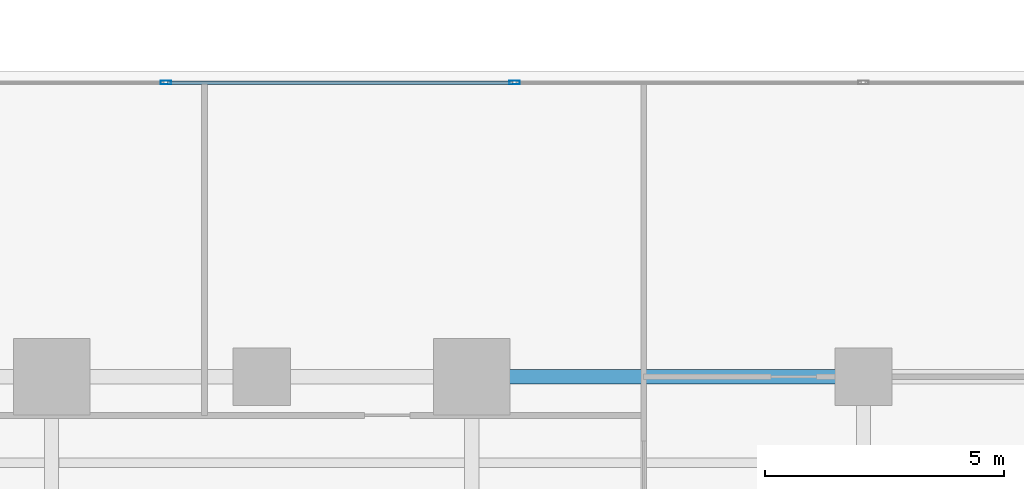
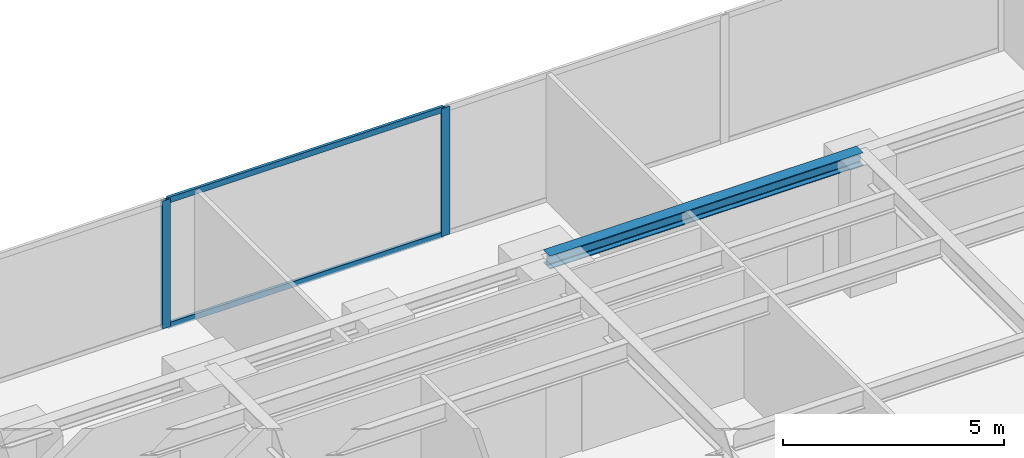
# One storey, part 13 of 26: 4 members, 1 beam, 1 element without a shape of its own.
"""IFC4 building model written with IfcOpenShell, lengths in metres."""

from ifc_helpers import new_model, si_unit, direction, frame, origin, origin_with_axes, origin_2d, place, context, subcontext, project, spatial, hollow_rectangle, i_section, extrude, source, transform, mapped, material, layer, layer_set, material_profile, profile_set, type_object, element, aggregate, save


model = new_model("IFC4")

# Units and contexts
model_context = context("Model", 3, precision=1e-05, world=origin(), true_north=direction((0.0, 1.0)))
body_context = subcontext(model_context, "Body", "Model", "MODEL_VIEW")
ifc_project = project(units=[si_unit("LENGTHUNIT", "METRE"), si_unit("AREAUNIT", "SQUARE_METRE"), si_unit("VOLUMEUNIT", "CUBIC_METRE"), si_unit("PLANEANGLEUNIT", "RADIAN"), si_unit("MASSUNIT", "GRAM", prefix="KILO")], contexts=[model_context])

# Site, building, storey
site_placement = place(None, origin())
site = spatial("IfcSite", under=ifc_project, at=site_placement, CompositionType="ELEMENT")
building_placement = place(site_placement, origin())
building = spatial("IfcBuilding", under=site, at=building_placement, Name="Kolvaren Waterfront Exchange", CompositionType="ELEMENT")
storey_placement = place(building_placement, frame((0.0, 0.0, 48.60009765625)))
storey = spatial("IfcBuildingStorey", under=building, at=storey_placement, Name="L12", CompositionType="ELEMENT", Elevation=48.60009765625)

# Beam
ifc_material_1 = material(Name="Steel S355", Category="steel")
ifc_material_profile_1 = material_profile(ifc_material_1, i_section(OverallWidth=0.300048828125, OverallDepth=0.360107421875, WebThickness=0.012451171875, FlangeThickness=0.0224609375, FilletRadius=0.027099609375, at=origin_2d()), Name="HEB360")
ifc_profile_set_1 = profile_set([ifc_material_profile_1], Name="Steel S355")
beam_type = type_object("IfcBeamType", Name="STR-BM-HEB360", PredefinedType="SPANDREL", material=ifc_profile_set_1)
beam_placement = place(storey_placement, frame((45.60009765625, 17.39990234375, 3.35986328125), z_axis=(1.0, 0.0, 0.0), x_axis=(0.0, 1.0, 0.0)))
element("IfcBeam", 1, at=beam_placement, inside=storey, type_object=beam_type, Name="L12 east-arm spandrel N4", PredefinedType="SPANDREL", context=body_context, shape_type="SweptSolid", body=[
    extrude(i_section(OverallWidth=0.300048828125, OverallDepth=0.360107421875, WebThickness=0.012451171875, FlangeThickness=0.0224609375, FilletRadius=0.027099609375, at=origin_2d()), origin(), (0.0, 0.0, 1.0), 8.199951171875),
])

# Curtain wall, members
ifc_material_2 = material(Name="Anodised bronze aluminium 6063-T6", Category="aluminium")
ifc_layer = layer(ifc_material_2, 0.219970703125, Name="Anodised bronze aluminium 6063-T6")
ifc_layer_set = layer_set([ifc_layer], Name="Anodised bronze aluminium 6063-T6")
curtain_wall_type = type_object("IfcCurtainWallType", Name="ARC-CW-SYS1", PredefinedType="USERDEFINED", material=ifc_layer_set)
curtain_wall_placement = place(storey_placement, origin())
curtain_wall = element("IfcCurtainWall", 2, at=curtain_wall_placement, inside=storey, type_object=curtain_wall_type, Name="L12 stick curtain wall CW1 (CW-L12-EN)", ObjectType="STICK CURTAIN WALL", PredefinedType="USERDEFINED")
ifc_material_3 = material(Name="Anodised aluminium 6063-T6", Category="aluminium")
ifc_material_profile_2 = material_profile(ifc_material_3, hollow_rectangle(XDim=0.080078125, YDim=0.219970703125, WallThickness=0.0048828125, at=origin_2d()), Name="ALU-MUL-220x80x5")
ifc_profile_set_2 = profile_set([ifc_material_profile_2], Name="Anodised aluminium 6063-T6")
member_type_1 = type_object("IfcMemberType", Name="ARC-CWM-220", PredefinedType="MULLION", material=ifc_profile_set_2)
shared_shape_1 = source(origin_with_axes(), body_context, "Body", "SweptSolid", [
    extrude(hollow_rectangle(XDim=0.080078125, YDim=0.219970703125, WallThickness=0.0048828125, at=origin_2d()), origin(), (0.0, 0.0, 1.0), 3.539794921875),
])
member_1_placement = place(storey_placement, frame((39.1923828125, 23.56005859375, 0.0), z_axis=(0.0, 0.0, 1.0), x_axis=(0.0, 1.0, 0.0)))
member_1 = element("IfcMember", 3, at=member_1_placement, type_object=member_type_1, Name="CW1 mullion 2", PredefinedType="MULLION", context=body_context, shape_type="MappedRepresentation", body=[
    mapped(shared_shape_1, transform((0.0, 0.0, 0.0), x_axis=(1.0, 0.0, 0.0), y_axis=(0.0, 1.0, 0.0), z_axis=(0.0, 0.0, 1.0), scale=1.0)),
])
member_2_placement = place(storey_placement, frame((46.4951171875, 23.56005859375, 0.0), z_axis=(0.0, 0.0, 1.0), x_axis=(0.0, 1.0, 0.0)))
member_2 = element("IfcMember", 4, at=member_2_placement, type_object=member_type_1, Name="CW1 mullion 3", PredefinedType="MULLION", context=body_context, shape_type="MappedRepresentation", body=[
    mapped(shared_shape_1, transform((0.0, 0.0, 0.0), x_axis=(1.0, 0.0, 0.0), y_axis=(0.0, 1.0, 0.0), z_axis=(0.0, 0.0, 1.0), scale=1.0)),
])
ifc_material_profile_3 = material_profile(ifc_material_3, hollow_rectangle(XDim=0.074951171875, YDim=0.159912109375, WallThickness=0.00439453125, at=origin_2d()), Name="ALU-TRN-160x75x4.5")
ifc_profile_set_3 = profile_set([ifc_material_profile_3], Name="Anodised aluminium 6063-T6")
member_type_2 = type_object("IfcMemberType", Name="ARC-CWT-160", PredefinedType="USERDEFINED", material=ifc_profile_set_3)
shared_shape_2 = source(origin_with_axes(), body_context, "Body", "SweptSolid", [
    extrude(hollow_rectangle(XDim=0.074951171875, YDim=0.159912109375, WallThickness=0.00439453125, at=origin_2d()), origin(), (0.0, 0.0, 1.0), 7.22265625),
])
member_3_placement = place(storey_placement, frame((39.232421875, 23.56005859375, 0.037353515625), z_axis=(1.0, 0.0, 0.0), x_axis=(0.0, 1.0, 0.0)))
member_3 = element("IfcMember", 5, at=member_3_placement, type_object=member_type_2, Name="CW1 transom 2.1", ObjectType="TRANSOM", PredefinedType="USERDEFINED", context=body_context, shape_type="MappedRepresentation", body=[
    mapped(shared_shape_2, transform((0.0, 0.0, 0.0), x_axis=(1.0, 0.0, 0.0), y_axis=(0.0, 1.0, 0.0), z_axis=(0.0, 0.0, 1.0), scale=1.0)),
])
member_4_placement = place(storey_placement, frame((39.232421875, 23.56005859375, 3.50244140625), z_axis=(1.0, 0.0, 0.0), x_axis=(0.0, 1.0, 0.0)))
member_4 = element("IfcMember", 6, at=member_4_placement, type_object=member_type_2, Name="CW1 transom 2.2", ObjectType="TRANSOM", PredefinedType="USERDEFINED", context=body_context, shape_type="MappedRepresentation", body=[
    mapped(shared_shape_2, transform((0.0, 0.0, 0.0), x_axis=(1.0, 0.0, 0.0), y_axis=(0.0, 1.0, 0.0), z_axis=(0.0, 0.0, 1.0), scale=1.0)),
])
aggregate(curtain_wall, [member_1, member_2, member_3, member_4])

save(model, "model.ifc")
